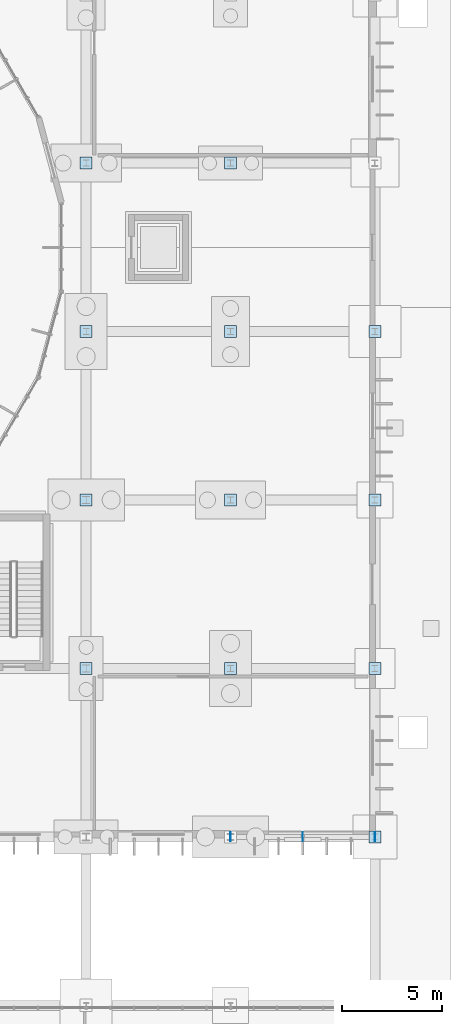
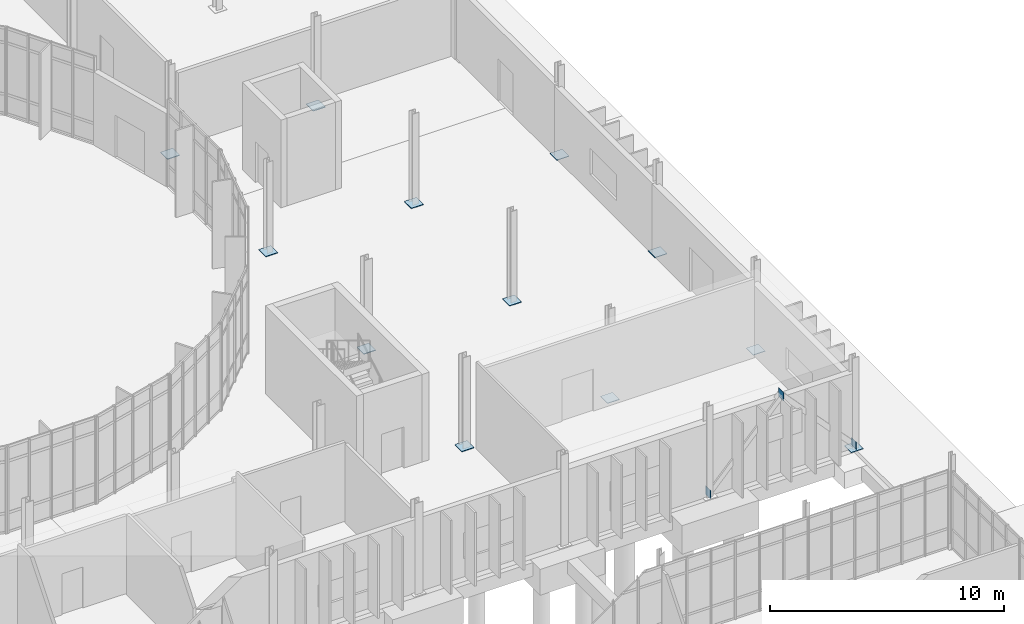
# One storey, part 85 of 118: 15 plates.
"""IFC4 building model written with IfcOpenShell, lengths in metres."""

from ifc_helpers import new_model, si_unit, direction, frame, origin, origin_2d, place, context, subcontext, project, spatial, rectangle, extrude, material, layer, layer_set, type_object, element, save


model = new_model("IFC4")

# Units and contexts
model_context = context("Model", 3, precision=1e-05, world=origin(), true_north=direction((0.0, 1.0)))
body_context = subcontext(model_context, "Body", "Model", "MODEL_VIEW")
ifc_project = project(units=[si_unit("LENGTHUNIT", "METRE"), si_unit("AREAUNIT", "SQUARE_METRE"), si_unit("VOLUMEUNIT", "CUBIC_METRE"), si_unit("PLANEANGLEUNIT", "RADIAN"), si_unit("MASSUNIT", "GRAM", prefix="KILO")], contexts=[model_context])

# Site, building, storey
site_placement = place(None, origin())
site = spatial("IfcSite", under=ifc_project, at=site_placement, CompositionType="ELEMENT")
building_placement = place(site_placement, origin())
building = spatial("IfcBuilding", under=site, at=building_placement, Name="Qelthora Terrace Specialist Clinic", CompositionType="ELEMENT")
storey_placement = place(building_placement, origin())
storey = spatial("IfcBuildingStorey", under=building, at=storey_placement, Name="L00", CompositionType="ELEMENT", Elevation=0.0)

# Plates
ifc_material = material(Name="Steel S355", Category="steel")
ifc_layer_1 = layer(ifc_material, 0.030029296875)
ifc_layer_set_1 = layer_set([ifc_layer_1], Name="Steel S355")
plate_type_1 = type_object("IfcPlateType", Name="PLT-BASE-600X600X30", PredefinedType="USERDEFINED", material=ifc_layer_set_1)
for number, where, z_axis, x_axis, name in (
    (1, (144.0, 42.0, 0.0), (0.0, 0.0, 1.0), (1.0, 0.0, 0.0), "Steel column base plate BPLT-194"),
    (2, (144.0, 50.39990234375, 0.0), (0.0, 0.0, 1.0), (1.0, 0.0, 0.0), "Steel column base plate BPLT-195"),
    (3, (144.0, 58.800048828125, 0.0), (0.0, 0.0, 1.0), (1.0, 0.0, 0.0), "Steel column base plate BPLT-196"),
    (4, (144.0, 67.199951171875, 0.0), (0.0, 0.0, 1.0), (1.0, 0.0, 0.0), "Steel column base plate BPLT-197"),
    (5, (151.199951171875, 42.0, 0.0), (0.0, 0.0, 1.0), (1.0, 0.0, 0.0), "Steel column base plate BPLT-208"),
    (6, (151.199951171875, 50.39990234375, 0.0), (0.0, 0.0, 1.0), (1.0, 0.0, 0.0), "Steel column base plate BPLT-209"),
    (7, (151.199951171875, 58.800048828125, 0.0), (0.0, 0.0, 1.0), (1.0, 0.0, 0.0), "Steel column base plate BPLT-210"),
    (8, (151.199951171875, 67.199951171875, 0.0), (0.0, 0.0, 1.0), (1.0, 0.0, 0.0), "Steel column base plate BPLT-211"),
    (9, (158.39990234375, 33.60009765625, 0.0), (0.0, 0.0, 1.0), (1.0, 0.0, 0.0), "Steel column base plate BPLT-219"),
    (10, (158.39990234375, 42.0, 0.0), (0.0, 0.0, 1.0), (1.0, 0.0, 0.0), "Steel column base plate BPLT-220"),
    (11, (158.39990234375, 50.39990234375, 0.0), (0.0, 0.0, 1.0), (1.0, 0.0, 0.0), "Steel column base plate BPLT-221"),
    (12, (158.39990234375, 58.800048828125, 0.0), (0.0, 0.0, 1.0), (1.0, 0.0, 0.0), "Steel column base plate BPLT-222"),
):
    element("IfcPlate", number, at=place(storey_placement, frame(where, z_axis=z_axis, x_axis=x_axis)), inside=storey, type_object=plate_type_1, Name=name, ObjectType="GUSSET PLATE", PredefinedType="USERDEFINED", context=body_context, shape_type="SweptSolid", body=[
        extrude(rectangle(XDim=0.60009765625, YDim=0.60009765625, at=origin_2d()), origin(), (0.0, 0.0, 1.0), 0.030029296875),
    ])
ifc_layer_2 = layer(ifc_material, 0.02001953125)
ifc_layer_set_2 = layer_set([ifc_layer_2], Name="Steel S355")
plate_type_2 = type_object("IfcPlateType", Name="PLT-GUS-480X480X20", PredefinedType="USERDEFINED", material=ifc_layer_set_2)
for number, where, z_axis, x_axis, name in (
    (13, (151.199951171875, 33.60009765625, -0.0400390625), (0.0, 0.0, 1.0), (1.0, 0.0, 0.0), "Steel truss node plate GPLT-0161"),
    (14, (154.800048828125, 33.60009765625, 3.830078125), (0.0, 0.0, 1.0), (1.0, 0.0, 0.0), "Steel truss node plate GPLT-0162"),
    (15, (158.39990234375, 33.60009765625, -0.0400390625), (0.0, 0.0, 1.0), (1.0, 0.0, 0.0), "Steel truss node plate GPLT-0163"),
):
    element("IfcPlate", number, at=place(storey_placement, frame(where, z_axis=z_axis, x_axis=x_axis)), inside=storey, type_object=plate_type_2, Name=name, ObjectType="GUSSET PLATE", PredefinedType="USERDEFINED", context=body_context, shape_type="SweptSolid", body=[
        extrude(rectangle(XDim=0.02001953125, YDim=0.43994140625, at=origin_2d()), origin(), (0.0, 0.0, 1.0), 0.43994140625),
    ])

save(model, "model.ifc")
